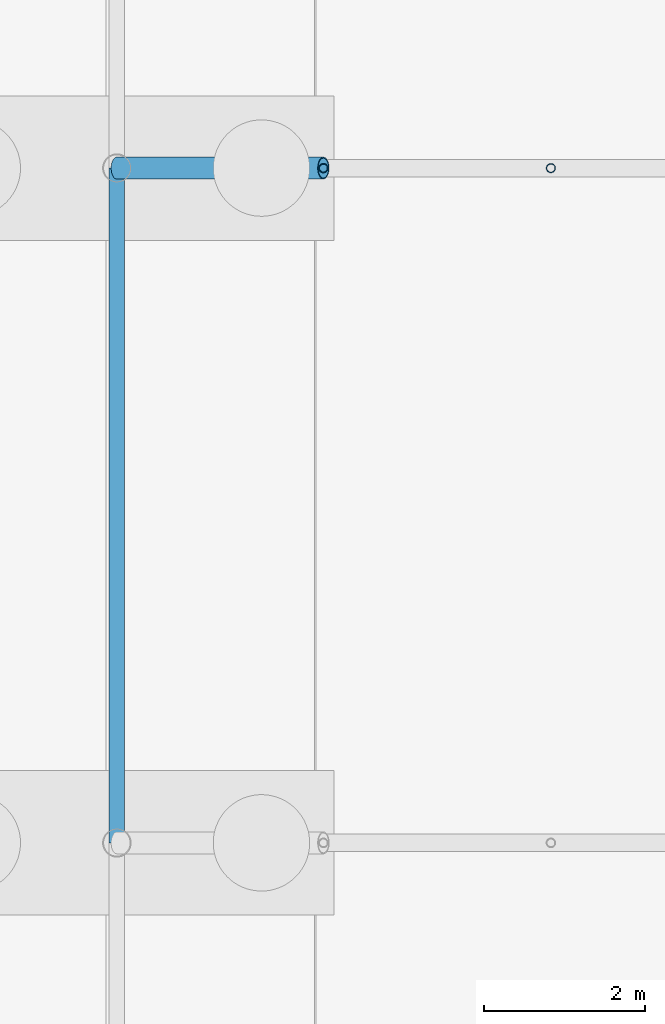
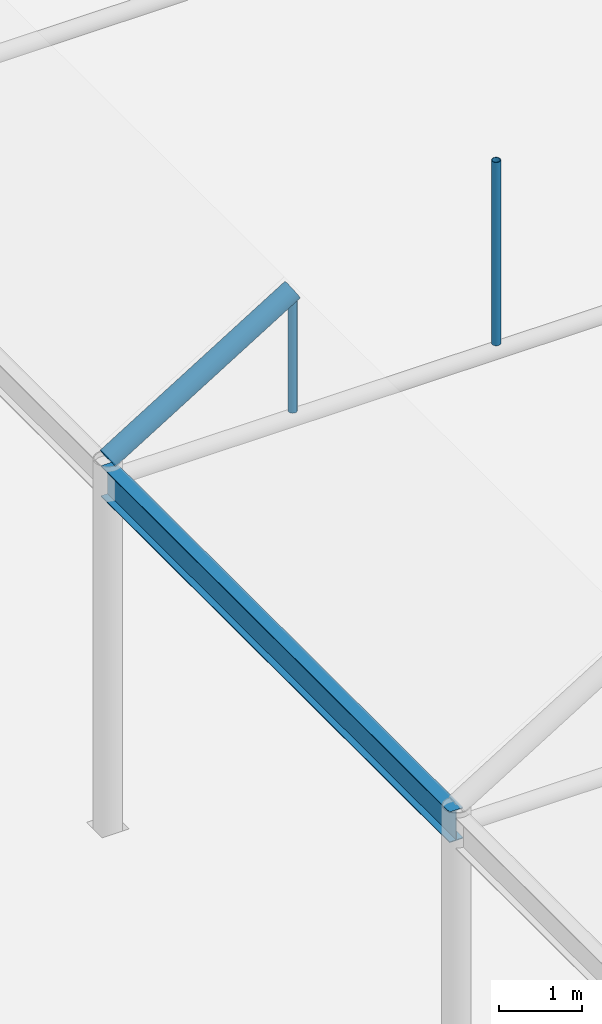
# One storey, part 90 of 212: 3 members, 1 beam.
"""IFC4 building model written with IfcOpenShell, lengths in metres."""

from ifc_helpers import new_model, si_unit, direction, frame, origin, origin_2d, place, context, subcontext, project, spatial, hollow_circle, i_section, extrude, material, material_profile, profile_set, type_object, element, save


model = new_model("IFC4")

# Units and contexts
model_context = context("Model", 3, precision=1e-05, world=origin(), true_north=direction((0.0, 1.0)))
body_context = subcontext(model_context, "Body", "Model", "MODEL_VIEW")
ifc_project = project(units=[si_unit("LENGTHUNIT", "METRE"), si_unit("AREAUNIT", "SQUARE_METRE"), si_unit("VOLUMEUNIT", "CUBIC_METRE"), si_unit("PLANEANGLEUNIT", "RADIAN"), si_unit("MASSUNIT", "GRAM", prefix="KILO")], contexts=[model_context])

# Site, building, storey
site_placement = place(None, origin())
site = spatial("IfcSite", under=ifc_project, at=site_placement, CompositionType="ELEMENT")
building_placement = place(site_placement, origin())
building = spatial("IfcBuilding", under=site, at=building_placement, Name="Catenary Quay Ferry Terminal", CompositionType="ELEMENT")
storey_placement = place(building_placement, origin())
storey = spatial("IfcBuildingStorey", under=building, at=storey_placement, Name="L00", CompositionType="ELEMENT", Elevation=0.0)

# Beam
ifc_material_1 = material(Name="Steel S355", Category="steel")
ifc_material_profile_1 = material_profile(ifc_material_1, i_section(OverallWidth=0.18994140625, OverallDepth=0.453369140625, WebThickness=0.008544921875, FlangeThickness=0.0126953125, at=origin_2d()), Name="UB 457x191x67")
ifc_profile_set_1 = profile_set([ifc_material_profile_1], Name="Steel S355")
beam_type = type_object("IfcBeamType", Name="B1 UB 457x191x67", PredefinedType="BEAM", material=ifc_profile_set_1)
beam_placement = place(storey_placement, frame((8.39990234375, 84.0, 5.10009765625), z_axis=(0.0, 1.0, 0.0), x_axis=(-1.0, 0.0, 0.0)))
element("IfcBeam", 1, at=beam_placement, inside=storey, type_object=beam_type, Name="Eaves beam B-FB3", PredefinedType="BEAM", context=body_context, shape_type="SweptSolid", body=[
    extrude(i_section(OverallWidth=0.18994140625, OverallDepth=0.453369140625, WebThickness=0.008544921875, FlangeThickness=0.0126953125, at=origin_2d()), origin(), (0.0, 0.0, 1.0), 8.39990234375),
])

# Members
ifc_material_2 = material(Name="Steel S355", Category="steel")
ifc_material_profile_2 = material_profile(ifc_material_2, hollow_circle(Radius=0.05712890625, WallThickness=0.00634765625, at=origin_2d()), Name="CHS 114.3x6.3")
ifc_profile_set_2 = profile_set([ifc_material_profile_2], Name="Steel S355")
member_type_1 = type_object("IfcMemberType", Name="HG1 CHS 114.3x6.3", PredefinedType="POST", material=ifc_profile_set_2)
member_1_placement = place(storey_placement, frame((10.970947265625, 92.39990234375, 5.205078125), z_axis=(0.0, 0.0, 1.0), x_axis=(1.0, 0.0, 0.0)))
element("IfcMember", 2, at=member_1_placement, inside=storey, type_object=member_type_1, Name="Hanger FC-04-01", PredefinedType="POST", context=body_context, shape_type="SweptSolid", body=[
    extrude(hollow_circle(Radius=0.05712890625, WallThickness=0.00634765625, at=origin_2d()), origin(), (0.0, 0.0, 1.0), 1.64892578125),
])
member_2_placement = place(storey_placement, frame((13.802978515625, 92.39990234375, 5.205078125), z_axis=(0.0, 0.0, 1.0), x_axis=(1.0, 0.0, 0.0)))
element("IfcMember", 3, at=member_2_placement, inside=storey, type_object=member_type_1, Name="Hanger FC-04-02", PredefinedType="POST", context=body_context, shape_type="SweptSolid", body=[
    extrude(hollow_circle(Radius=0.05712890625, WallThickness=0.00634765625, at=origin_2d()), origin(), (0.0, 0.0, 1.0), 2.69580078125),
])
ifc_material_3 = material(Name="Steel S355", Category="steel")
ifc_material_profile_3 = material_profile(ifc_material_3, hollow_circle(Radius=0.136474609375, WallThickness=0.012451171875, at=origin_2d()), Name="CHS 273x12.5")
ifc_profile_set_3 = profile_set([ifc_material_profile_3], Name="Steel S355")
member_type_2 = type_object("IfcMemberType", Name="VR2 CHS 273x12.5", PredefinedType="RAFTER", material=ifc_profile_set_3)
member_3_placement = place(storey_placement, frame((8.39990234375, 92.39990234375, 5.39990234375), z_axis=(0.851391726314, 0.0, 0.524530388408), x_axis=(0.0, 1.0, 0.0)))
element("IfcMember", 4, at=member_3_placement, inside=storey, type_object=member_type_2, Name="rib FC-04-01", PredefinedType="RAFTER", context=body_context, shape_type="SweptSolid", body=[
    extrude(hollow_circle(Radius=0.136474609375, WallThickness=0.012451171875, at=origin_2d()), origin(), (0.0, 0.0, 1.0), 3.019775390625),
])

save(model, "model.ifc")
